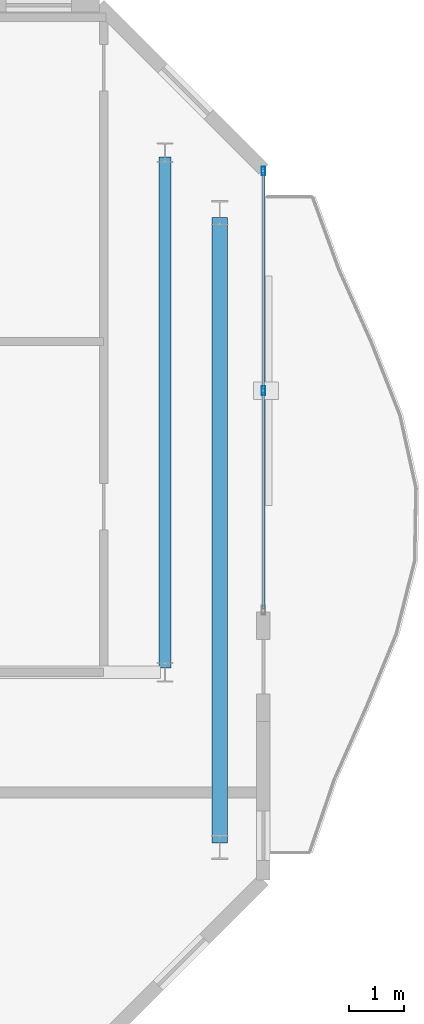
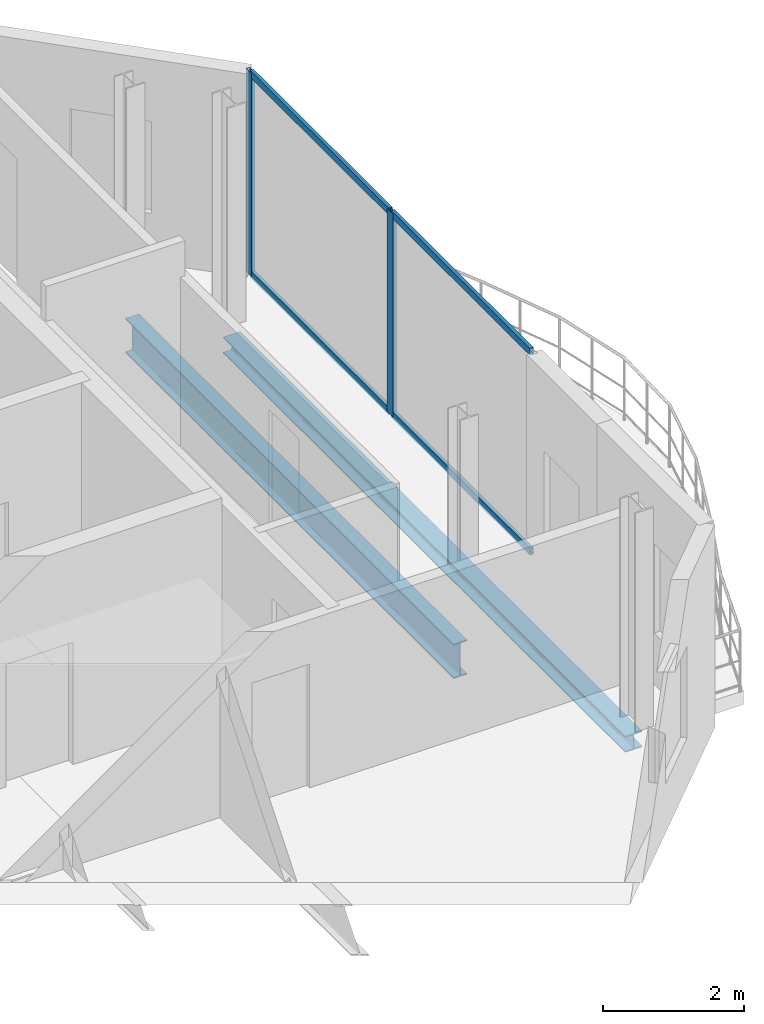
# One storey, part 15 of 22: 6 members, 2 beams, 1 element without a shape of its own.
"""IFC4 building model written with IfcOpenShell, lengths in metres."""

from ifc_helpers import new_model, si_unit, direction, frame, origin, origin_2d, place, context, subcontext, project, spatial, hollow_rectangle, i_section, extrude, material, layer, layer_set, material_profile, profile_set, type_object, element, aggregate, save


model = new_model("IFC4")

# Units and contexts
model_context = context("Model", 3, precision=1e-05, world=origin(), true_north=direction((0.0, 1.0)))
body_context = subcontext(model_context, "Body", "Model", "MODEL_VIEW")
ifc_project = project(units=[si_unit("LENGTHUNIT", "METRE"), si_unit("AREAUNIT", "SQUARE_METRE"), si_unit("VOLUMEUNIT", "CUBIC_METRE"), si_unit("PLANEANGLEUNIT", "RADIAN"), si_unit("MASSUNIT", "GRAM", prefix="KILO")], contexts=[model_context])

# Site, building, storey
site_placement = place(None, origin())
site = spatial("IfcSite", under=ifc_project, at=site_placement, CompositionType="ELEMENT")
building_placement = place(site_placement, origin())
building = spatial("IfcBuilding", under=site, at=building_placement, Name="Catumbela Crestline Tower", CompositionType="ELEMENT")
storey_placement = place(building_placement, frame((0.0, 0.0, 226.0)))
storey = spatial("IfcBuildingStorey", under=building, at=storey_placement, Name="L58", CompositionType="ELEMENT", Elevation=226.0)

# Beam
ifc_material_1 = material(Name="Structural steel S355J2", Category="steel")
ifc_material_profile_1 = material_profile(ifc_material_1, i_section(OverallWidth=0.22, OverallDepth=0.6, WebThickness=0.012, FlangeThickness=0.019, FilletRadius=0.024, at=origin_2d()), Name="IPE 600")
ifc_profile_set_1 = profile_set([ifc_material_profile_1], Name="Structural steel S355J2")
beam_type_1 = type_object("IfcBeamType", Name="BG-IPE600", PredefinedType="BEAM", material=ifc_profile_set_1)
beam_1_placement = place(storey_placement, frame((44.2, 30.88, -0.56), z_axis=(0.0, 1.0, 0.0), x_axis=(-1.0, 0.0, 0.0)))
element("IfcBeam", 1, at=beam_1_placement, inside=storey, type_object=beam_type_1, Name="L58 Beam BM-L58-SN19", PredefinedType="BEAM", context=body_context, shape_type="SweptSolid", body=[
    extrude(i_section(OverallWidth=0.22, OverallDepth=0.6, WebThickness=0.012, FlangeThickness=0.019, FilletRadius=0.024, at=origin_2d()), origin(), (0.0, 0.0, 1.0), 9.34),
])

# Curtain wall, members
ifc_material_2 = material(Name="Aluminium alloy AW-6060-T66", Category="aluminium")
ifc_layer = layer(ifc_material_2, 0.18, Name="Aluminium alloy AW-6060-T66")
ifc_layer_set = layer_set([ifc_layer], Name="Aluminium alloy AW-6060-T66")
curtain_wall_type = type_object("IfcCurtainWallType", Name="CWU-Z4", PredefinedType="USERDEFINED", material=ifc_layer_set)
curtain_wall_placement = place(storey_placement, origin())
curtain_wall = element("IfcCurtainWall", 2, at=curtain_wall_placement, inside=storey, type_object=curtain_wall_type, Name="L58 Unitised Curtain Wall CW-L58-E5S2", ObjectType="UNITISED", PredefinedType="USERDEFINED")
ifc_material_profile_2 = material_profile(ifc_material_2, hollow_rectangle(XDim=0.06, YDim=0.16, WallThickness=0.004, at=origin_2d()), Name="ALU 160x60x4")
ifc_profile_set_2 = profile_set([ifc_material_profile_2], Name="Aluminium alloy AW-6060-T66")
member_type_1 = type_object("IfcMemberType", Name="MUL-160X60", PredefinedType="MULLION", material=ifc_profile_set_2)
member_1_placement = place(storey_placement, frame((46.0, 35.95, 0.0), z_axis=(0.0, 0.0, 1.0), x_axis=(-1.0, 0.0, 0.0)))
member_1 = element("IfcMember", 3, at=member_1_placement, type_object=member_type_1, Name="CWU-Z4 mullion 2", PredefinedType="MULLION", context=body_context, shape_type="SweptSolid", body=[
    extrude(hollow_rectangle(XDim=0.06, YDim=0.16, WallThickness=0.004, at=origin_2d()), origin(), (0.0, 0.0, 1.0), 3.53),
])
member_2_placement = place(storey_placement, frame((46.0, 39.9675, 0.0), z_axis=(0.0, 0.0, 1.0), x_axis=(-1.0, 0.0, 0.0)))
member_2 = element("IfcMember", 4, at=member_2_placement, type_object=member_type_1, Name="CWU-Z4 mullion 3", PredefinedType="MULLION", context=body_context, shape_type="SweptSolid", body=[
    extrude(hollow_rectangle(XDim=0.06, YDim=0.16, WallThickness=0.004, at=origin_2d()), origin(), (0.0, 0.0, 1.0), 3.53),
])

# Beam
ifc_material_profile_3 = material_profile(ifc_material_1, i_section(OverallWidth=0.28, OverallDepth=0.28, WebThickness=0.0105, FlangeThickness=0.018, FilletRadius=0.024, at=origin_2d()), Name="HEB 280")
ifc_profile_set_3 = profile_set([ifc_material_profile_3], Name="Structural steel S355J2")
beam_type_2 = type_object("IfcBeamType", Name="BS-HEB280", PredefinedType="SPANDREL", material=ifc_profile_set_3)
beam_2_placement = place(storey_placement, frame((45.2, 27.68, -0.4), z_axis=(0.0, 1.0, 0.0), x_axis=(-1.0, 0.0, 0.0)))
element("IfcBeam", 5, at=beam_2_placement, inside=storey, type_object=beam_type_2, Name="L58 Spandrel SP-L58-SN20", PredefinedType="SPANDREL", context=body_context, shape_type="SweptSolid", body=[
    extrude(i_section(OverallWidth=0.28, OverallDepth=0.28, WebThickness=0.0105, FlangeThickness=0.018, FilletRadius=0.024, at=origin_2d()), origin(), (0.0, 0.0, 1.0), 11.44),
])

# Member
ifc_material_profile_4 = material_profile(ifc_material_2, hollow_rectangle(XDim=0.06, YDim=0.12, WallThickness=0.0035, at=origin_2d()), Name="ALU 120x60x3.5")
ifc_profile_set_4 = profile_set([ifc_material_profile_4], Name="Aluminium alloy AW-6060-T66")
member_type_2 = type_object("IfcMemberType", Name="TRN-120X60", PredefinedType="USERDEFINED", material=ifc_profile_set_4)
member_3_placement = place(storey_placement, frame((46.0, 31.965, 0.03), z_axis=(0.0, 1.0, 0.0), x_axis=(-1.0, 0.0, 0.0)))
member_3 = element("IfcMember", 6, at=member_3_placement, type_object=member_type_2, Name="CWU-Z4 transom 1.1", ObjectType="TRANSOM", PredefinedType="USERDEFINED", context=body_context, shape_type="SweptSolid", body=[
    extrude(hollow_rectangle(XDim=0.06, YDim=0.12, WallThickness=0.0035, at=origin_2d()), origin(), (0.0, 0.0, 1.0), 3.9525),
])

member_4_placement = place(storey_placement, frame((46.0, 31.965, 3.5), z_axis=(0.0, 1.0, 0.0), x_axis=(-1.0, 0.0, 0.0)))
member_4 = element("IfcMember", 7, at=member_4_placement, type_object=member_type_2, Name="CWU-Z4 transom 1.2", ObjectType="TRANSOM", PredefinedType="USERDEFINED", context=body_context, shape_type="SweptSolid", body=[
    extrude(hollow_rectangle(XDim=0.06, YDim=0.12, WallThickness=0.0035, at=origin_2d()), origin(), (0.0, 0.0, 1.0), 3.9525),
])

member_5_placement = place(storey_placement, frame((46.0, 35.9825, 0.03), z_axis=(0.0, 1.0, 0.0), x_axis=(-1.0, 0.0, 0.0)))
member_5 = element("IfcMember", 8, at=member_5_placement, type_object=member_type_2, Name="CWU-Z4 transom 2.1", ObjectType="TRANSOM", PredefinedType="USERDEFINED", context=body_context, shape_type="SweptSolid", body=[
    extrude(hollow_rectangle(XDim=0.06, YDim=0.12, WallThickness=0.0035, at=origin_2d()), origin(), (0.0, 0.0, 1.0), 3.9525),
])

member_6_placement = place(storey_placement, frame((46.0, 35.9825, 3.5), z_axis=(0.0, 1.0, 0.0), x_axis=(-1.0, 0.0, 0.0)))
member_6 = element("IfcMember", 9, at=member_6_placement, type_object=member_type_2, Name="CWU-Z4 transom 2.2", ObjectType="TRANSOM", PredefinedType="USERDEFINED", context=body_context, shape_type="SweptSolid", body=[
    extrude(hollow_rectangle(XDim=0.06, YDim=0.12, WallThickness=0.0035, at=origin_2d()), origin(), (0.0, 0.0, 1.0), 3.9525),
])

aggregate(curtain_wall, [member_1, member_2, member_3, member_4, member_5, member_6])

save(model, "model.ifc")
